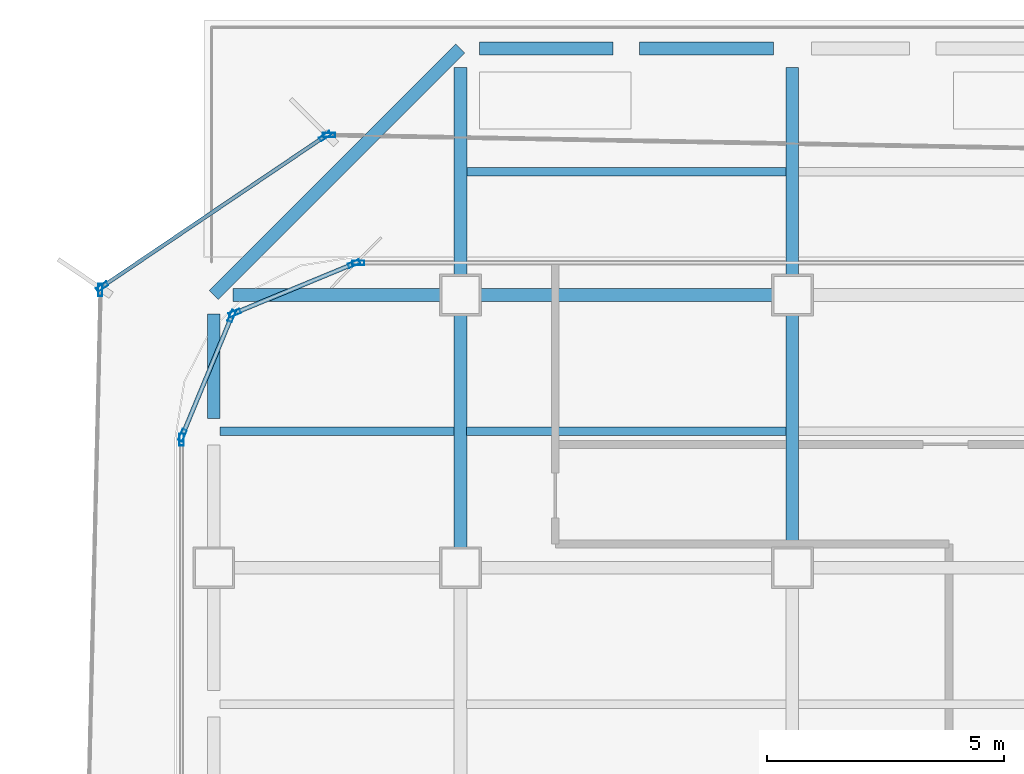
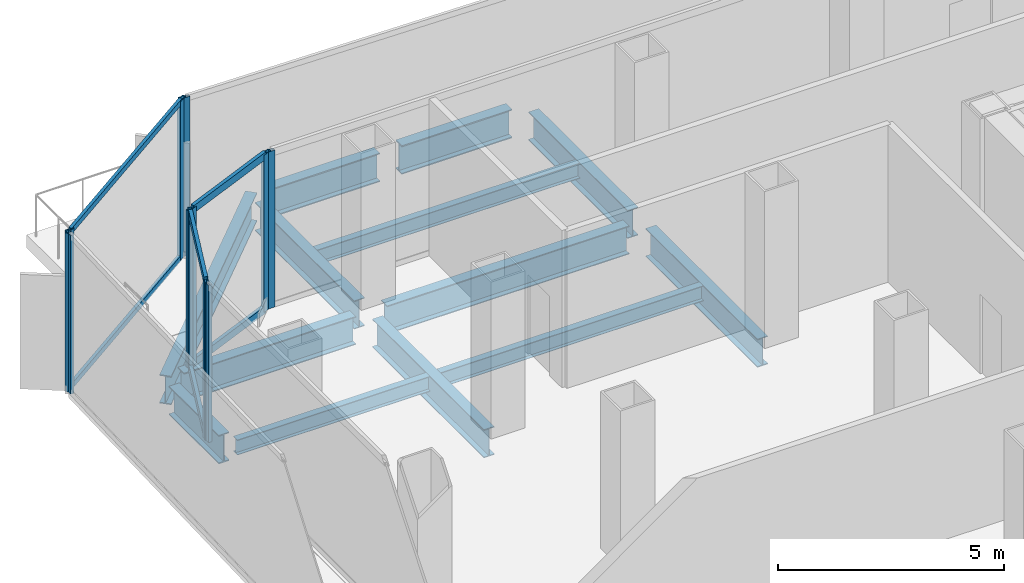
# One storey, part 10 of 21: 16 members, 13 beams, 7 elements without a shape of their own.
"""IFC4 building model written with IfcOpenShell, lengths in metres."""

from ifc_helpers import new_model, si_unit, direction, frame, origin, origin_2d, place, context, subcontext, project, spatial, hollow_rectangle, i_section, extrude, source, transform, mapped, material, layer, layer_set, material_profile, profile_set, type_object, element, aggregate, save


model = new_model("IFC4")

# Units and contexts
model_context = context("Model", 3, precision=1e-05, world=origin(), true_north=direction((0.0, 1.0)))
body_context = subcontext(model_context, "Body", "Model", "MODEL_VIEW")
ifc_project = project(units=[si_unit("LENGTHUNIT", "METRE"), si_unit("AREAUNIT", "SQUARE_METRE"), si_unit("VOLUMEUNIT", "CUBIC_METRE"), si_unit("PLANEANGLEUNIT", "RADIAN"), si_unit("MASSUNIT", "GRAM", prefix="KILO")], contexts=[model_context])

# Site, building, storey
site_placement = place(None, origin())
site = spatial("IfcSite", under=ifc_project, at=site_placement, CompositionType="ELEMENT")
building_placement = place(site_placement, origin())
building = spatial("IfcBuilding", under=site, at=building_placement, Name="Kolveth Station Tower", CompositionType="ELEMENT")
storey_placement = place(building_placement, frame((0.0, 0.0, 88.199951171875)))
storey = spatial("IfcBuildingStorey", under=building, at=storey_placement, Name="L23", CompositionType="ELEMENT", Elevation=88.199951171875)

# Beams
ifc_material_1 = material(Name="Steel S355", Category="steel")
ifc_material_profile_1 = material_profile(ifc_material_1, i_section(OverallWidth=0.26904296875, OverallDepth=0.77490234375, WebThickness=0.01708984375, FlangeThickness=0.0283203125, at=origin_2d()), Name="W760x220")
ifc_profile_set_1 = profile_set([ifc_material_profile_1], Name="Steel S355")
beam_type_1 = type_object("IfcBeamType", Name="Beam_SP1", PredefinedType="SPANDREL", material=ifc_profile_set_1)
shared_shape_1 = source(origin(), body_context, "Body", "SweptSolid", [
    extrude(i_section(OverallWidth=0.26904296875, OverallDepth=0.77490234375, WebThickness=0.01708984375, FlangeThickness=0.0283203125, at=origin_2d()), origin(), (0.0, 0.0, 1.0), 7.353759765625),
])
beam_1_placement = place(storey_placement, frame((6.0, 39.699951171875, -0.74755859375), z_axis=(-0.707106781187, -0.707106781187, 0.0), x_axis=(0.707106781187, -0.707106781187, 0.0)))
element("IfcBeam", 1, at=beam_1_placement, inside=storey, type_object=beam_type_1, Name="L23 Corner Edge Girder BM-L23-CNR-NW", PredefinedType="SPANDREL", context=body_context, shape_type="MappedRepresentation", body=[
    mapped(shared_shape_1, transform((0.0, 0.0, 0.0), x_axis=(1.0, 0.0, 0.0), y_axis=(0.0, 1.0, 0.0), z_axis=(0.0, 0.0, 1.0), scale=1.0)),
])
shared_shape_2 = source(origin(), body_context, "Body", "SweptSolid", [
    extrude(i_section(OverallWidth=0.26904296875, OverallDepth=0.77490234375, WebThickness=0.01708984375, FlangeThickness=0.0283203125, at=origin_2d()), origin(), (0.0, 0.0, 1.0), 2.820068359375),
])
for number, where, z_axis, x_axis, name in (
    (2, (6.39990234375, 39.699951171875, -0.74755859375), (1.0, 0.0, 0.0), (0.0, 1.0, 0.0), "L23 Perimeter Spandrel BM-L23-PN-1"),
    (3, (9.780029296875, 39.699951171875, -0.74755859375), (1.0, 0.0, 0.0), (0.0, 1.0, 0.0), "L23 Perimeter Spandrel BM-L23-PN-2"),
):
    element("IfcBeam", number, at=place(storey_placement, frame(where, z_axis=z_axis, x_axis=x_axis)), inside=storey, type_object=beam_type_1, Name=name, PredefinedType="SPANDREL", context=body_context, shape_type="MappedRepresentation", body=[
        mapped(shared_shape_2, transform((0.0, 0.0, 0.0), x_axis=(1.0, 0.0, 0.0), y_axis=(0.0, 1.0, 0.0), z_axis=(0.0, 0.0, 1.0), scale=1.0)),
    ])
shared_shape_3 = source(origin(), body_context, "Body", "SweptSolid", [
    extrude(i_section(OverallWidth=0.26904296875, OverallDepth=0.77490234375, WebThickness=0.01708984375, FlangeThickness=0.0283203125, at=origin_2d()), origin(), (0.0, 0.0, 1.0), 2.2001953125),
])
beam_2_placement = place(storey_placement, frame((0.800048828125, 31.89990234375, -0.74755859375), z_axis=(0.0, 1.0, 0.0), x_axis=(-1.0, 0.0, 0.0)))
element("IfcBeam", 4, at=beam_2_placement, inside=storey, type_object=beam_type_1, Name="L23 Perimeter Spandrel BM-L23-PW-10", PredefinedType="SPANDREL", context=body_context, shape_type="MappedRepresentation", body=[
    mapped(shared_shape_3, transform((0.0, 0.0, 0.0), x_axis=(1.0, 0.0, 0.0), y_axis=(0.0, 1.0, 0.0), z_axis=(0.0, 0.0, 1.0), scale=1.0)),
])
ifc_material_profile_2 = material_profile(ifc_material_1, i_section(OverallWidth=0.26708984375, OverallDepth=0.76611328125, WebThickness=0.014892578125, FlangeThickness=0.023681640625, at=origin_2d()), Name="W760x185")
ifc_profile_set_2 = profile_set([ifc_material_profile_2], Name="Steel S355")
beam_type_2 = type_object("IfcBeamType", Name="Beam_B3", PredefinedType="BEAM", material=ifc_profile_set_2)
shared_shape_4 = source(origin(), body_context, "Body", "SweptSolid", [
    extrude(i_section(OverallWidth=0.26708984375, OverallDepth=0.76611328125, WebThickness=0.014892578125, FlangeThickness=0.023681640625, at=origin_2d()), origin(), (0.0, 0.0, 1.0), 4.400146484375),
])
for number, where, z_axis, x_axis, name in (
    (5, (1.199951171875, 34.5, -0.742919921875), (1.0, 0.0, 0.0), (0.0, 1.0, 0.0), "L23 Primary Girder BM-L23-GY345-1"),
    (6, (6.0, 34.89990234375, -0.742919921875), (0.0, 1.0, 0.0), (-1.0, 0.0, 0.0), "L23 Primary Girder BM-L23-GX60-7"),
    (7, (13.0, 34.89990234375, -0.742919921875), (0.0, 1.0, 0.0), (-1.0, 0.0, 0.0), "L23 Primary Girder BM-L23-GX130-7"),
):
    element("IfcBeam", number, at=place(storey_placement, frame(where, z_axis=z_axis, x_axis=x_axis)), inside=storey, type_object=beam_type_2, Name=name, PredefinedType="BEAM", context=body_context, shape_type="MappedRepresentation", body=[
        mapped(shared_shape_4, transform((0.0, 0.0, 0.0), x_axis=(1.0, 0.0, 0.0), y_axis=(0.0, 1.0, 0.0), z_axis=(0.0, 0.0, 1.0), scale=1.0)),
    ])
shared_shape_5 = source(origin(), body_context, "Body", "SweptSolid", [
    extrude(i_section(OverallWidth=0.26708984375, OverallDepth=0.76611328125, WebThickness=0.014892578125, FlangeThickness=0.023681640625, at=origin_2d()), origin(), (0.0, 0.0, 1.0), 6.2001953125),
])
beam_3_placement = place(storey_placement, frame((6.39990234375, 34.5, -0.742919921875), z_axis=(1.0, 0.0, 0.0), x_axis=(0.0, 1.0, 0.0)))
element("IfcBeam", 8, at=beam_3_placement, inside=storey, type_object=beam_type_2, Name="L23 Primary Girder BM-L23-GY345-2", PredefinedType="BEAM", context=body_context, shape_type="MappedRepresentation", body=[
    mapped(shared_shape_5, transform((0.0, 0.0, 0.0), x_axis=(1.0, 0.0, 0.0), y_axis=(0.0, 1.0, 0.0), z_axis=(0.0, 0.0, 1.0), scale=1.0)),
])
shared_shape_6 = source(origin(), body_context, "Body", "SweptSolid", [
    extrude(i_section(OverallWidth=0.26708984375, OverallDepth=0.76611328125, WebThickness=0.014892578125, FlangeThickness=0.023681640625, at=origin_2d()), origin(), (0.0, 0.0, 1.0), 4.9501953125),
])
for number, where, z_axis, x_axis, name in (
    (9, (6.0, 29.14990234375, -0.742919921875), (0.0, 1.0, 0.0), (-1.0, 0.0, 0.0), "L23 Primary Girder BM-L23-GX60-6"),
    (10, (13.0, 29.14990234375, -0.742919921875), (0.0, 1.0, 0.0), (-1.0, 0.0, 0.0), "L23 Primary Girder BM-L23-GX130-6"),
):
    element("IfcBeam", number, at=place(storey_placement, frame(where, z_axis=z_axis, x_axis=x_axis)), inside=storey, type_object=beam_type_2, Name=name, PredefinedType="BEAM", context=body_context, shape_type="MappedRepresentation", body=[
        mapped(shared_shape_6, transform((0.0, 0.0, 0.0), x_axis=(1.0, 0.0, 0.0), y_axis=(0.0, 1.0, 0.0), z_axis=(0.0, 0.0, 1.0), scale=1.0)),
    ])
ifc_material_profile_3 = material_profile(ifc_material_1, i_section(OverallWidth=0.177978515625, OverallDepth=0.406982421875, WebThickness=0.0078125, FlangeThickness=0.0126953125, at=origin_2d()), Name="W410x60")
ifc_profile_set_3 = profile_set([ifc_material_profile_3], Name="Steel S355")
beam_type_3 = type_object("IfcBeamType", Name="Beam_J1", PredefinedType="JOIST", material=ifc_profile_set_3)
shared_shape_7 = source(origin(), body_context, "Body", "SweptSolid", [
    extrude(i_section(OverallWidth=0.177978515625, OverallDepth=0.406982421875, WebThickness=0.0078125, FlangeThickness=0.0126953125, at=origin_2d()), origin(), (0.0, 0.0, 1.0), 4.935791015625),
])
beam_4_placement = place(storey_placement, frame((0.9326171875, 31.625, -0.5634765625), z_axis=(1.0, 0.0, 0.0), x_axis=(0.0, 1.0, 0.0)))
element("IfcBeam", 11, at=beam_4_placement, inside=storey, type_object=beam_type_3, Name="L23 Secondary Joist JST-L23-1-6", PredefinedType="JOIST", context=body_context, shape_type="MappedRepresentation", body=[
    mapped(shared_shape_7, transform((0.0, 0.0, 0.0), x_axis=(1.0, 0.0, 0.0), y_axis=(0.0, 1.0, 0.0), z_axis=(0.0, 0.0, 1.0), scale=1.0)),
])
shared_shape_8 = source(origin(), body_context, "Body", "SweptSolid", [
    extrude(i_section(OverallWidth=0.177978515625, OverallDepth=0.406982421875, WebThickness=0.0078125, FlangeThickness=0.0126953125, at=origin_2d()), origin(), (0.0, 0.0, 1.0), 6.73681640625),
])
for number, where, z_axis, x_axis, name in (
    (12, (6.131591796875, 31.625, -0.5634765625), (1.0, 0.0, 0.0), (0.0, 1.0, 0.0), "L23 Secondary Joist JST-L23-2-6"),
    (13, (6.131591796875, 37.10009765625, -0.5634765625), (1.0, 0.0, 0.0), (0.0, 1.0, 0.0), "L23 Secondary Joist JST-L23-2-7"),
):
    element("IfcBeam", number, at=place(storey_placement, frame(where, z_axis=z_axis, x_axis=x_axis)), inside=storey, type_object=beam_type_3, Name=name, PredefinedType="JOIST", context=body_context, shape_type="MappedRepresentation", body=[
        mapped(shared_shape_8, transform((0.0, 0.0, 0.0), x_axis=(1.0, 0.0, 0.0), y_axis=(0.0, 1.0, 0.0), z_axis=(0.0, 0.0, 1.0), scale=1.0)),
    ])

# Curtain wall, member
ifc_material_2 = material(Name="Aluminium 6063-T6 and acoustic laminated dark glass", Category="aluminium")
ifc_layer_1 = layer(ifc_material_2, 0.219970703125)
ifc_layer_set_1 = layer_set([ifc_layer_1], Name="Aluminium 6063-T6 and acoustic laminated dark glass")
curtain_wall_type_1 = type_object("IfcCurtainWallType", Name="CurtainWall_CW-SL", PredefinedType="NOTDEFINED", material=ifc_layer_set_1)
curtain_wall_1_placement = place(storey_placement, origin())
curtain_wall_1 = element("IfcCurtainWall", 14, at=curtain_wall_1_placement, inside=storey, type_object=curtain_wall_type_1, Name="L23 Inner Thermal Curtain Wall 6", PredefinedType="NOTDEFINED")
ifc_material_3 = material(Name="Black anodized aluminium 6063-T6", Category="aluminium")
ifc_material_profile_4 = material_profile(ifc_material_3, hollow_rectangle(XDim=0.094970703125, YDim=0.25, WallThickness=0.0048828125, at=origin_2d()), Name="ALU-95x250x5")
ifc_profile_set_4 = profile_set([ifc_material_profile_4], Name="Black anodized aluminium 6063-T6")
member_type_1 = type_object("IfcMemberType", Name="Mullion_ML-SL", PredefinedType="MULLION", material=ifc_profile_set_4)
shared_shape_9 = source(origin(), body_context, "Body", "SweptSolid", [
    extrude(hollow_rectangle(XDim=0.094970703125, YDim=0.25, WallThickness=0.0048828125, at=origin_2d()), origin(), (0.0, 0.0, 1.0), 4.25),
])
member_1_placement = place(storey_placement, frame((3.847412109375, 35.179931640625, 0.0), z_axis=(0.0, 0.0, 1.0), x_axis=(0.0, -1.0, 0.0)))
member_1 = element("IfcMember", 15, at=member_1_placement, type_object=member_type_1, Name="CW-SL mullion 3", PredefinedType="MULLION", context=body_context, shape_type="MappedRepresentation", body=[
    mapped(shared_shape_9, transform((0.0, 0.0, 0.0), x_axis=(1.0, 0.0, 0.0), y_axis=(0.0, 1.0, 0.0), z_axis=(0.0, 0.0, 1.0), scale=1.0)),
])
aggregate(curtain_wall_1, [member_1])

# Curtain wall, members
curtain_wall_2_placement = place(storey_placement, origin())
curtain_wall_2 = element("IfcCurtainWall", 16, at=curtain_wall_2_placement, inside=storey, type_object=curtain_wall_type_1, Name="L23 Inner Thermal Curtain Wall 7", PredefinedType="NOTDEFINED")
member_2_placement = place(storey_placement, frame((3.756103515625, 35.161865234375, 0.0), z_axis=(0.0, 0.0, 1.0), x_axis=(0.38266326998, -0.923887883787, 0.0)))
member_2 = element("IfcMember", 17, at=member_2_placement, type_object=member_type_1, Name="CW-SL mullion 1", PredefinedType="MULLION", context=body_context, shape_type="MappedRepresentation", body=[
    mapped(shared_shape_9, transform((0.0, 0.0, 0.0), x_axis=(1.0, 0.0, 0.0), y_axis=(0.0, 1.0, 0.0), z_axis=(0.0, 0.0, 1.0), scale=1.0)),
])
member_3_placement = place(storey_placement, frame((1.24169921875, 34.120361328125, 0.0), z_axis=(0.0, 0.0, 1.0), x_axis=(0.38266326998, -0.923887883787, 0.0)))
member_3 = element("IfcMember", 18, at=member_3_placement, type_object=member_type_1, Name="CW-SL mullion 2", PredefinedType="MULLION", context=body_context, shape_type="MappedRepresentation", body=[
    mapped(shared_shape_9, transform((0.0, 0.0, 0.0), x_axis=(1.0, 0.0, 0.0), y_axis=(0.0, 1.0, 0.0), z_axis=(0.0, 0.0, 1.0), scale=1.0)),
])

curtain_wall_3_placement = place(storey_placement, origin())
curtain_wall_3 = element("IfcCurtainWall", 19, at=curtain_wall_3_placement, inside=storey, type_object=curtain_wall_type_1, Name="L23 Inner Thermal Curtain Wall 8", PredefinedType="NOTDEFINED")
member_4_placement = place(storey_placement, frame((1.1796875, 34.058349609375, 0.0), z_axis=(0.0, 0.0, 1.0), x_axis=(0.923887883787, -0.38266326998, 0.0)))
member_4 = element("IfcMember", 20, at=member_4_placement, type_object=member_type_1, Name="CW-SL mullion 1", PredefinedType="MULLION", context=body_context, shape_type="MappedRepresentation", body=[
    mapped(shared_shape_9, transform((0.0, 0.0, 0.0), x_axis=(1.0, 0.0, 0.0), y_axis=(0.0, 1.0, 0.0), z_axis=(0.0, 0.0, 1.0), scale=1.0)),
])
member_5_placement = place(storey_placement, frame((0.13818359375, 31.5439453125, 0.0), z_axis=(0.0, 0.0, 1.0), x_axis=(0.923887883787, -0.38266326998, 0.0)))
member_5 = element("IfcMember", 21, at=member_5_placement, type_object=member_type_1, Name="CW-SL mullion 2", PredefinedType="MULLION", context=body_context, shape_type="MappedRepresentation", body=[
    mapped(shared_shape_9, transform((0.0, 0.0, 0.0), x_axis=(1.0, 0.0, 0.0), y_axis=(0.0, 1.0, 0.0), z_axis=(0.0, 0.0, 1.0), scale=1.0)),
])

# Curtain wall, member
curtain_wall_4_placement = place(storey_placement, origin())
curtain_wall_4 = element("IfcCurtainWall", 22, at=curtain_wall_4_placement, inside=storey, type_object=curtain_wall_type_1, Name="L23 Inner Thermal Curtain Wall 9", PredefinedType="NOTDEFINED")
member_6_placement = place(storey_placement, frame((0.1201171875, 31.452392578125, 0.0), z_axis=(0.0, 0.0, 1.0), x_axis=(1.0, 0.0, 0.0)))
member_6 = element("IfcMember", 23, at=member_6_placement, type_object=member_type_1, Name="CW-SL mullion 1", PredefinedType="MULLION", context=body_context, shape_type="MappedRepresentation", body=[
    mapped(shared_shape_9, transform((0.0, 0.0, 0.0), x_axis=(1.0, 0.0, 0.0), y_axis=(0.0, 1.0, 0.0), z_axis=(0.0, 0.0, 1.0), scale=1.0)),
])
aggregate(curtain_wall_4, [member_6])

# Member
ifc_material_profile_5 = material_profile(ifc_material_3, hollow_rectangle(XDim=0.090087890625, YDim=0.199951171875, WallThickness=0.0048828125, at=origin_2d()), Name="ALU-90x200x5")
ifc_profile_set_5 = profile_set([ifc_material_profile_5], Name="Black anodized aluminium 6063-T6")
member_type_2 = type_object("IfcMemberType", Name="Transom_TR-SL", PredefinedType="USERDEFINED", material=ifc_profile_set_5)
shared_shape_10 = source(origin(), body_context, "Body", "SweptSolid", [
    extrude(hollow_rectangle(XDim=0.090087890625, YDim=0.199951171875, WallThickness=0.0048828125, at=origin_2d()), origin(), (0.0, 0.0, 1.0), 2.62646484375),
])
member_7_placement = place(storey_placement, frame((3.712158203125, 35.1435546875, 0.045166015625), z_axis=(-0.923908076852, -0.382614512961, 0.0), x_axis=(0.382614512961, -0.923908076852, 0.0)))
member_7 = element("IfcMember", 24, at=member_7_placement, type_object=member_type_2, Name="CW-SL transom 1.1", ObjectType="TRANSOM", PredefinedType="USERDEFINED", context=body_context, shape_type="MappedRepresentation", body=[
    mapped(shared_shape_10, transform((0.0, 0.0, 0.0), x_axis=(1.0, 0.0, 0.0), y_axis=(0.0, 1.0, 0.0), z_axis=(0.0, 0.0, 1.0), scale=1.0)),
])

member_8_placement = place(storey_placement, frame((3.712158203125, 35.1435546875, 4.205078125), z_axis=(-0.923908076852, -0.382614512961, 0.0), x_axis=(0.382614512961, -0.923908076852, 0.0)))
member_8 = element("IfcMember", 25, at=member_8_placement, type_object=member_type_2, Name="CW-SL transom 1.2", ObjectType="TRANSOM", PredefinedType="USERDEFINED", context=body_context, shape_type="MappedRepresentation", body=[
    mapped(shared_shape_10, transform((0.0, 0.0, 0.0), x_axis=(1.0, 0.0, 0.0), y_axis=(0.0, 1.0, 0.0), z_axis=(0.0, 0.0, 1.0), scale=1.0)),
])

aggregate(curtain_wall_2, [member_2, member_3, member_7, member_8])

member_9_placement = place(storey_placement, frame((1.161376953125, 34.014404296875, 0.045166015625), z_axis=(-0.382693858119, -0.923875213954, 0.0), x_axis=(0.923875213954, -0.382693858119, 0.0)))
member_9 = element("IfcMember", 26, at=member_9_placement, type_object=member_type_2, Name="CW-SL transom 1.1", ObjectType="TRANSOM", PredefinedType="USERDEFINED", context=body_context, shape_type="MappedRepresentation", body=[
    mapped(shared_shape_10, transform((0.0, 0.0, 0.0), x_axis=(1.0, 0.0, 0.0), y_axis=(0.0, 1.0, 0.0), z_axis=(0.0, 0.0, 1.0), scale=1.0)),
])

member_10_placement = place(storey_placement, frame((1.161376953125, 34.014404296875, 4.205078125), z_axis=(-0.382693858119, -0.923875213954, 0.0), x_axis=(0.923875213954, -0.382693858119, 0.0)))
member_10 = element("IfcMember", 27, at=member_10_placement, type_object=member_type_2, Name="CW-SL transom 1.2", ObjectType="TRANSOM", PredefinedType="USERDEFINED", context=body_context, shape_type="MappedRepresentation", body=[
    mapped(shared_shape_10, transform((0.0, 0.0, 0.0), x_axis=(1.0, 0.0, 0.0), y_axis=(0.0, 1.0, 0.0), z_axis=(0.0, 0.0, 1.0), scale=1.0)),
])

aggregate(curtain_wall_3, [member_4, member_5, member_9, member_10])

# Curtain wall, member
ifc_material_4 = material(Name="Black anodized aluminium 6063-T6 and dark solar glass", Category="aluminium")
ifc_layer_2 = layer(ifc_material_4, 0.159912109375)
ifc_layer_set_2 = layer_set([ifc_layer_2], Name="Black anodized aluminium 6063-T6 and dark solar glass")
curtain_wall_type_2 = type_object("IfcCurtainWallType", Name="OUTER SKIN CW-OS", PredefinedType="NOTDEFINED", material=ifc_layer_set_2)
curtain_wall_5_placement = place(storey_placement, origin())
curtain_wall_5 = element("IfcCurtainWall", 28, at=curtain_wall_5_placement, inside=storey, type_object=curtain_wall_type_2, Name="L23 Outer Ventilated Skin Curtain Wall 4", PredefinedType="NOTDEFINED")
ifc_material_profile_6 = material_profile(ifc_material_3, hollow_rectangle(XDim=0.090087890625, YDim=0.260009765625, WallThickness=0.0048828125, at=origin_2d()), Name="ALU-90x260x5")
ifc_profile_set_6 = profile_set([ifc_material_profile_6], Name="Black anodized aluminium 6063-T6")
member_type_3 = type_object("IfcMemberType", Name="FIN MULLION ML-OS", PredefinedType="MULLION", material=ifc_profile_set_6)
shared_shape_11 = source(origin(), body_context, "Body", "SweptSolid", [
    extrude(hollow_rectangle(XDim=0.090087890625, YDim=0.260009765625, WallThickness=0.0048828125, at=origin_2d()), origin(), (0.0, 0.0, 1.0), 4.2900390625),
])
member_11_placement = place(storey_placement, frame((3.228759765625, 37.874755859375, 0.0), z_axis=(0.0, 0.0, 1.0), x_axis=(-0.018594610293, -0.999827105288, 0.0)))
member_11 = element("IfcMember", 29, at=member_11_placement, type_object=member_type_3, Name="CW-OS mullion 2", PredefinedType="MULLION", context=body_context, shape_type="MappedRepresentation", body=[
    mapped(shared_shape_11, transform((0.0, 0.0, 0.0), x_axis=(1.0, 0.0, 0.0), y_axis=(0.0, 1.0, 0.0), z_axis=(0.0, 0.0, 1.0), scale=1.0)),
])
aggregate(curtain_wall_5, [member_11])

# Curtain wall, members
curtain_wall_6_placement = place(storey_placement, origin())
curtain_wall_6 = element("IfcCurtainWall", 30, at=curtain_wall_6_placement, inside=storey, type_object=curtain_wall_type_2, Name="L23 Outer Ventilated Skin Curtain Wall 5", PredefinedType="NOTDEFINED")
member_12_placement = place(storey_placement, frame((3.146484375, 37.8505859375, 0.0), z_axis=(0.0, 0.0, 1.0), x_axis=(0.559647781581, -0.828730571761, 0.0)))
member_12 = element("IfcMember", 31, at=member_12_placement, type_object=member_type_3, Name="CW-OS mullion 1", PredefinedType="MULLION", context=body_context, shape_type="MappedRepresentation", body=[
    mapped(shared_shape_11, transform((0.0, 0.0, 0.0), x_axis=(1.0, 0.0, 0.0), y_axis=(0.0, 1.0, 0.0), z_axis=(0.0, 0.0, 1.0), scale=1.0)),
])
member_13_placement = place(storey_placement, frame((-1.5546875, 34.67578125, 0.0), z_axis=(0.0, 0.0, 1.0), x_axis=(0.559647781581, -0.828730571761, 0.0)))
member_13 = element("IfcMember", 32, at=member_13_placement, type_object=member_type_3, Name="CW-OS mullion 2", PredefinedType="MULLION", context=body_context, shape_type="MappedRepresentation", body=[
    mapped(shared_shape_11, transform((0.0, 0.0, 0.0), x_axis=(1.0, 0.0, 0.0), y_axis=(0.0, 1.0, 0.0), z_axis=(0.0, 0.0, 1.0), scale=1.0)),
])

# Curtain wall, member
curtain_wall_7_placement = place(storey_placement, origin())
curtain_wall_7 = element("IfcCurtainWall", 33, at=curtain_wall_7_placement, inside=storey, type_object=curtain_wall_type_2, Name="L23 Outer Ventilated Skin Curtain Wall 6", PredefinedType="NOTDEFINED")
member_14_placement = place(storey_placement, frame((-1.59326171875, 34.60546875, 0.0), z_axis=(0.0, 0.0, 1.0), x_axis=(0.999726228274, -0.023398044824, 0.0)))
member_14 = element("IfcMember", 34, at=member_14_placement, type_object=member_type_3, Name="CW-OS mullion 1", PredefinedType="MULLION", context=body_context, shape_type="MappedRepresentation", body=[
    mapped(shared_shape_11, transform((0.0, 0.0, 0.0), x_axis=(1.0, 0.0, 0.0), y_axis=(0.0, 1.0, 0.0), z_axis=(0.0, 0.0, 1.0), scale=1.0)),
])
aggregate(curtain_wall_7, [member_14])

# Member
ifc_material_profile_7 = material_profile(ifc_material_3, hollow_rectangle(XDim=0.080078125, YDim=0.14990234375, WallThickness=0.0048828125, at=origin_2d()), Name="ALU-80x150x5")
ifc_profile_set_7 = profile_set([ifc_material_profile_7], Name="Black anodized aluminium 6063-T6")
member_type_4 = type_object("IfcMemberType", Name="Transom_TR-OS", PredefinedType="USERDEFINED", material=ifc_profile_set_7)
shared_shape_12 = source(origin(), body_context, "Body", "SweptSolid", [
    extrude(hollow_rectangle(XDim=0.080078125, YDim=0.14990234375, WallThickness=0.0048828125, at=origin_2d()), origin(), (0.0, 0.0, 1.0), 5.5830078125),
])
member_15_placement = place(storey_placement, frame((3.109130859375, 37.825439453125, 0.0400390625), z_axis=(-0.828725462949, -0.559655346674, 0.0), x_axis=(0.559655346674, -0.828725462949, 0.0)))
member_15 = element("IfcMember", 35, at=member_15_placement, type_object=member_type_4, Name="CW-OS transom 1.1", ObjectType="TRANSOM", PredefinedType="USERDEFINED", context=body_context, shape_type="MappedRepresentation", body=[
    mapped(shared_shape_12, transform((0.0, 0.0, 0.0), x_axis=(1.0, 0.0, 0.0), y_axis=(0.0, 1.0, 0.0), z_axis=(0.0, 0.0, 1.0), scale=1.0)),
])

member_16_placement = place(storey_placement, frame((3.109130859375, 37.825439453125, 4.25), z_axis=(-0.828725462949, -0.559655346674, 0.0), x_axis=(0.559655346674, -0.828725462949, 0.0)))
member_16 = element("IfcMember", 36, at=member_16_placement, type_object=member_type_4, Name="CW-OS transom 1.2", ObjectType="TRANSOM", PredefinedType="USERDEFINED", context=body_context, shape_type="MappedRepresentation", body=[
    mapped(shared_shape_12, transform((0.0, 0.0, 0.0), x_axis=(1.0, 0.0, 0.0), y_axis=(0.0, 1.0, 0.0), z_axis=(0.0, 0.0, 1.0), scale=1.0)),
])

aggregate(curtain_wall_6, [member_12, member_13, member_15, member_16])

save(model, "model.ifc")
